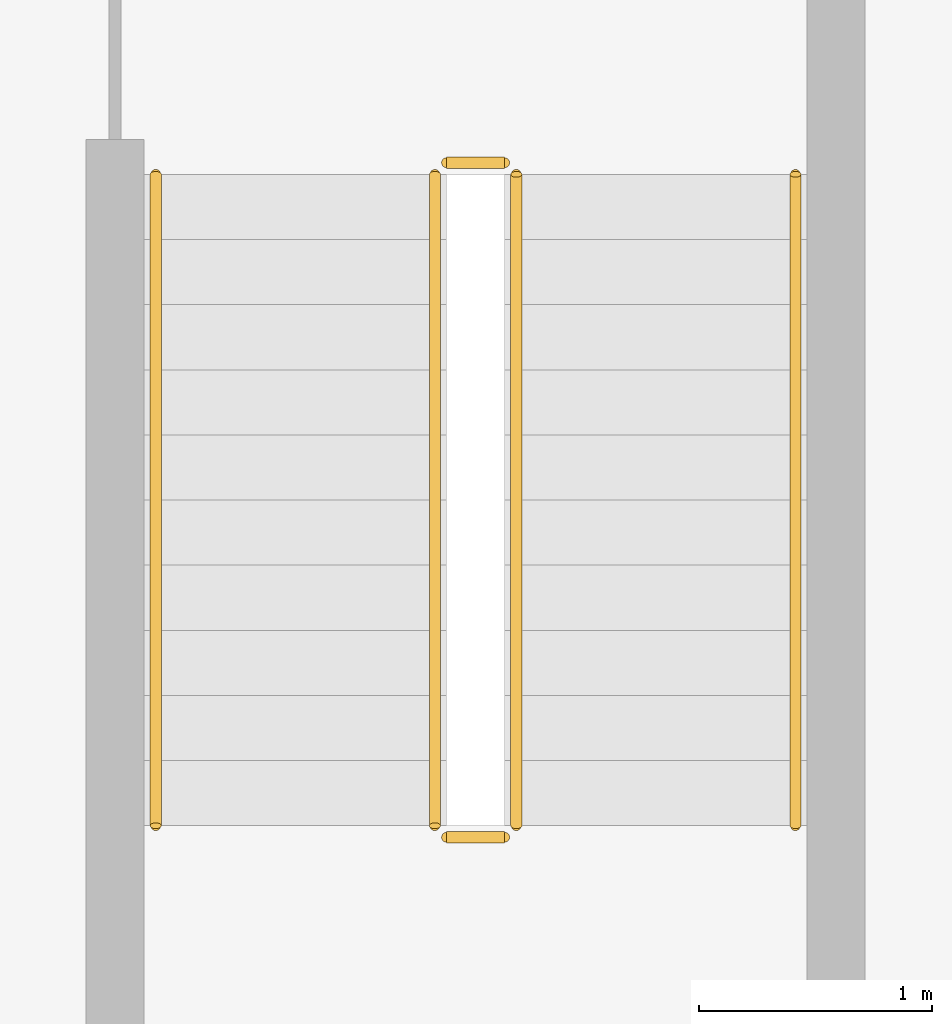
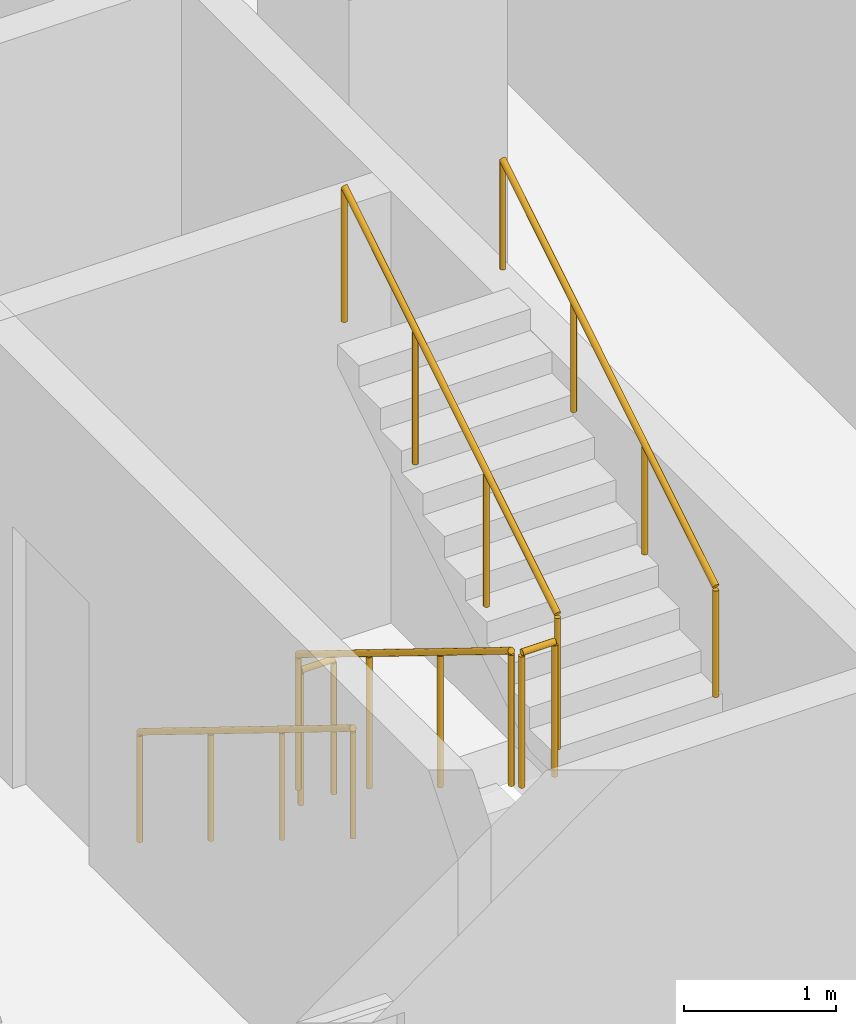
# One storey, part 23 of 27: 6 railings.
"""IFC4 building model written with IfcOpenShell, lengths in metres."""

import ifcopenshell
import ifcopenshell.guid

model = None  # the IFC model being written
_history = None  # IfcOwnerHistory: only IFC2X3 demands one
_inside = {}  # id of a spatial element -> (the spatial element, [elements in it])
_under = {}  # id of a project, library or spatial element -> (it, [spatial elements below it])
_declared = {}  # id of a project -> (the project, [libraries it declares])
_typed = {}  # id of a type object -> (the type object, [elements of that type])
_made_of = {}  # id of a material, layer set ... -> (it, [elements and type objects made of it])


def new_model(schema):
    """Start an empty IFC model of exactly this schema.

    Asked for "IFC4X3", IfcOpenShell would pick the latest addendum, in which some entities
    have other attributes; the version numbers below select the first issue.
    IFC2X3 requires an IfcOwnerHistory on every rooted entity: one is made here for all.
    """
    global model, _history
    if schema == "IFC4X3":
        model = ifcopenshell.file(schema_version=(4, 3, 0, 0))
    else:
        model = ifcopenshell.file(schema=schema)
    _inside.clear()
    _under.clear()
    _declared.clear()
    _typed.clear()
    _made_of.clear()
    _history = None
    if model.schema == "IFC2X3":
        org = make("IfcOrganization", Name="unknown")
        user = make(
            "IfcPersonAndOrganization",
            ThePerson=make("IfcPerson", FamilyName="unknown"),
            TheOrganization=org,
        )
        app = make(
            "IfcApplication",
            ApplicationDeveloper=org,
            Version="unknown",
            ApplicationFullName="unknown",
            ApplicationIdentifier="unknown",
        )
        _history = make(
            "IfcOwnerHistory",
            OwningUser=user,
            OwningApplication=app,
            ChangeAction="ADDED",
            CreationDate=0,
        )
    return model


def make(cls, **values):
    """One entity of the class cls with the attributes given. An attribute that is None is left unset."""
    return model.create_entity(
        cls, **{name: value for name, value in values.items() if value is not None}
    )


def rooted(cls, **values):
    """An entity with a GlobalId (a new one), such as an element, a storey or a relation."""
    return make(cls, GlobalId=ifcopenshell.guid.new(), OwnerHistory=_history, **values)


def si_unit(unit_type, name, prefix=None):
    """IfcSIUnit, for example si_unit("LENGTHUNIT", "METRE", prefix="MILLI")."""
    return make("IfcSIUnit", UnitType=unit_type, Prefix=prefix, Name=name)


def assignment(units):
    """IfcUnitAssignment: the units of a project."""
    return None if units is None else make("IfcUnitAssignment", Units=units)


def point(xyz):
    """IfcCartesianPoint."""
    return None if xyz is None else make("IfcCartesianPoint", Coordinates=xyz)


def direction(xyz):
    """IfcDirection."""
    return None if xyz is None else make("IfcDirection", DirectionRatios=xyz)


def frame(location, z_axis=None, x_axis=None):
    """IfcAxis2Placement3D, a coordinate frame: its origin and axes. An axis left out is left unset."""
    return make(
        "IfcAxis2Placement3D",
        Location=point(location),
        Axis=direction(z_axis),
        RefDirection=direction(x_axis),
    )


def frame_2d(location, x_axis=None):
    """IfcAxis2Placement2D, a coordinate frame in the plane: its origin and x axis."""
    return make(
        "IfcAxis2Placement2D", Location=point(location), RefDirection=direction(x_axis)
    )


def origin():
    """The frame at (0, 0, 0) with its axes left unset."""
    return frame((0.0, 0.0, 0.0))


def origin_2d():
    """The frame at (0, 0) in the plane with its x axis left unset."""
    return frame_2d((0.0, 0.0))


def place(relative_to, where):
    """IfcLocalPlacement: puts the frame where relative to a parent placement (None: the world)."""
    return make(
        "IfcLocalPlacement", PlacementRelTo=relative_to, RelativePlacement=where
    )


def context(
    kind, dimensions, precision=None, world=None, true_north=None, identifier=None
):
    """IfcGeometricRepresentationContext, for example the 3D "Model" context."""
    return make(
        "IfcGeometricRepresentationContext",
        ContextIdentifier=identifier,
        ContextType=kind,
        CoordinateSpaceDimension=dimensions,
        Precision=precision,
        WorldCoordinateSystem=world,
        TrueNorth=true_north,
    )


def subcontext(parent, identifier, kind, view, scale=None):
    """IfcGeometricRepresentationSubContext, for example "Body" below "Model"."""
    return make(
        "IfcGeometricRepresentationSubContext",
        ContextIdentifier=identifier,
        ContextType=kind,
        ParentContext=parent,
        TargetScale=scale,
        TargetView=view,
    )


def project(units=None, contexts=None):
    """IfcProject with its units and contexts."""
    return rooted(
        "IfcProject",
        Name="project",
        RepresentationContexts=contexts,
        UnitsInContext=assignment(units),
    )


def spatial(cls, under=None, at=None, **own):
    """A site, building, storey or space (cls), placed at a placement, below another one or the project."""
    s = rooted(cls, ObjectPlacement=at, **own)
    if under is not None:
        _under.setdefault(under.id(), (under, []))[1].append(s)
    return s


def profile(cls, at=None, kind="AREA", **sizes):
    """A parametric profile (cls). Its sizes go by their IFC names, for example OverallWidth=200.0."""
    return make(cls, ProfileType=kind, Position=at, **sizes)


def circle(**sizes):
    """IfcCircleProfileDef."""
    return profile("IfcCircleProfileDef", **sizes)


def extrude(swept, where, along, depth):
    """IfcExtrudedAreaSolid: the profile swept, set in the frame where, extruded along a direction by depth."""
    return make(
        "IfcExtrudedAreaSolid",
        SweptArea=swept,
        Position=where,
        ExtrudedDirection=direction(along),
        Depth=depth,
    )


def shape(context_of_items, identifier, shape_type, items):
    """IfcShapeRepresentation: the items that make up one representation, for example the "Body"."""
    return make(
        "IfcShapeRepresentation",
        ContextOfItems=context_of_items,
        RepresentationIdentifier=identifier,
        RepresentationType=shape_type,
        Items=items,
    )


def material(Name=None, Category=None):
    """IfcMaterial."""
    return make("IfcMaterial", Name=Name, Category=Category)


def made_of(thing, what):
    """Note that an element or type object is made of a material, layer set ...; save() writes the relation."""
    if what is not None:
        _made_of.setdefault(what.id(), (what, []))[1].append(thing)
    return thing


def type_object(cls, material=None, **own):
    """A type object (cls), such as IfcWallType, which elements share."""
    return made_of(rooted(cls, **own), material)


def element(
    cls,
    number,
    at=None,
    inside=None,
    cuts=None,
    type_object=None,
    material=None,
    context=None,
    identifier="Body",
    shape_type=None,
    held_by="IfcProductDefinitionShape",
    body=None,
    shapes=None,
    **own,
):
    """One element of the class cls, such as IfcWall. Its Tag is "e" and its number.

    at: its placement. inside: the storey or other place that contains it. cuts: it is an
    opening in that element (IfcRelVoidsElement). A single representation is given by context,
    identifier, shape_type and body (its items); several are given by shapes. held_by: the class
    of the entity that holds the representations. save() writes the other relations.
    """
    e = rooted(cls, Tag="e%d" % number, ObjectPlacement=at, **own)
    if body is not None:
        shapes = [shape(context, identifier, shape_type, body)]
    if shapes is not None:
        e.Representation = make(held_by, Representations=shapes)
    if inside is not None:
        _inside.setdefault(inside.id(), (inside, []))[1].append(e)
    if cuts is not None:
        rooted(
            "IfcRelVoidsElement", RelatingBuildingElement=cuts, RelatedOpeningElement=e
        )
    if type_object is not None:
        _typed.setdefault(type_object.id(), (type_object, []))[1].append(e)
    return made_of(e, material)


def aggregate(whole, parts):
    """IfcRelAggregates: a whole, such as a stair, and the parts it consists of."""
    return rooted("IfcRelAggregates", RelatingObject=whole, RelatedObjects=parts)


def save(model, path):
    """Write the relations noted so far, then the file.

    IfcRelAggregates (storeys below a building ...), IfcRelContainedInSpatialStructure (elements
    in a storey), IfcRelDefinesByType, IfcRelAssociatesMaterial and IfcRelDeclares: one each for
    every whole, place, type object, material and project.
    """
    for whole, parts in _under.values():
        aggregate(whole, parts)
    for where, things in _inside.values():
        rooted(
            "IfcRelContainedInSpatialStructure",
            RelatedElements=things,
            RelatingStructure=where,
        )
    for kind, things in _typed.values():
        rooted("IfcRelDefinesByType", RelatedObjects=things, RelatingType=kind)
    for what, things in _made_of.values():
        rooted("IfcRelAssociatesMaterial", RelatedObjects=things, RelatingMaterial=what)
    for by, libraries in _declared.values():
        rooted("IfcRelDeclares", RelatingContext=by, RelatedDefinitions=libraries)
    model.write(path)


model = new_model("IFC4")

# Units and contexts
model_context = context("Model", 3, precision=1e-05, world=origin(), true_north=direction((0.0, 1.0)))
body_context = subcontext(model_context, "Body", "Model", "MODEL_VIEW")
ifc_project = project(units=[si_unit("LENGTHUNIT", "METRE"), si_unit("AREAUNIT", "SQUARE_METRE"), si_unit("VOLUMEUNIT", "CUBIC_METRE"), si_unit("PLANEANGLEUNIT", "RADIAN"), si_unit("MASSUNIT", "GRAM", prefix="KILO")], contexts=[model_context])

# Site, building, storey
site_placement = place(None, origin())
site = spatial("IfcSite", under=ifc_project, at=site_placement, CompositionType="ELEMENT")
building_placement = place(site_placement, origin())
building = spatial("IfcBuilding", under=site, at=building_placement, Name="Mahtab Terrace Research Tower", CompositionType="ELEMENT")
storey_placement = place(building_placement, frame((0.0, 0.0, 182.0)))
storey = spatial("IfcBuildingStorey", under=building, at=storey_placement, Name="L43", CompositionType="ELEMENT", Elevation=182.0)

# Railings
ifc_material = material(Name="Stainless steel AISI 304", Category="steel")
railing_type_1 = type_object("IfcRailingType", Name="Stair guard 1100", PredefinedType="GUARDRAIL", material=ifc_material)
railing_1_placement = place(storey_placement, frame((2.949951171875, -4.175048828125, 0.172607421875)))
element("IfcRailing", 1, at=railing_1_placement, inside=storey, type_object=railing_type_1, Name="L43 ST2 stair guard 1", PredefinedType="GUARDRAIL", context=body_context, shape_type="SweptSolid", body=[
    extrude(circle(Radius=0.02392578125, at=origin_2d()), frame((0.0, 0.0, 1.076171875), z_axis=(0.0, -0.851089632645, 0.525020415988), x_axis=(1.0, 0.0, 0.0)), (0.0, 0.0, 1.0), 3.2900390625),
    extrude(circle(Radius=0.02099609375, at=origin_2d()), origin(), (0.0, 0.0, 1.0), 1.052001953125),
    extrude(circle(Radius=0.02099609375, at=origin_2d()), frame((0.0, -0.933349609375, 0.57568359375)), (0.0, 0.0, 1.0), 1.052001953125),
    extrude(circle(Radius=0.02099609375, at=origin_2d()), frame((0.0, -1.86669921875, 1.151611328125)), (0.0, 0.0, 1.0), 1.052001953125),
    extrude(circle(Radius=0.02099609375, at=origin_2d()), frame((0.0, -2.800048828125, 1.727294921875)), (0.0, 0.0, 1.0), 1.052001953125),
])
railing_2_placement = place(storey_placement, frame((3.0, -7.02490234375, 1.89990234375)))
element("IfcRailing", 2, at=railing_2_placement, inside=storey, type_object=railing_type_1, Name="L43 ST2 stair guard 2", PredefinedType="GUARDRAIL", context=body_context, shape_type="SweptSolid", body=[
    extrude(circle(Radius=0.02392578125, at=origin_2d()), frame((0.0, 0.0, 1.076171875), z_axis=(1.0, 0.0, 0.0), x_axis=(0.0, 1.0, 0.0)), (0.0, 0.0, 1.0), 0.25),
    extrude(circle(Radius=0.02099609375, at=origin_2d()), origin(), (0.0, 0.0, 1.0), 1.052001953125),
    extrude(circle(Radius=0.02099609375, at=origin_2d()), frame((0.25, 0.0, 0.0)), (0.0, 0.0, 1.0), 1.052001953125),
])
railing_3_placement = place(storey_placement, frame((3.300048828125, -6.97509765625, 2.07275390625)))
element("IfcRailing", 3, at=railing_3_placement, inside=storey, type_object=railing_type_1, Name="L43 ST2 stair guard 3", PredefinedType="GUARDRAIL", context=body_context, shape_type="SweptSolid", body=[
    extrude(circle(Radius=0.02392578125, at=origin_2d()), frame((0.0, 0.0, 1.076171875), z_axis=(0.0, 0.851089632645, 0.525020415988), x_axis=(-1.0, 0.0, 0.0)), (0.0, 0.0, 1.0), 3.2900390625),
    extrude(circle(Radius=0.02099609375, at=origin_2d()), origin(), (0.0, 0.0, 1.0), 1.052001953125),
    extrude(circle(Radius=0.02099609375, at=origin_2d()), frame((0.0, 0.933349609375, 0.57568359375)), (0.0, 0.0, 1.0), 1.052001953125),
    extrude(circle(Radius=0.02099609375, at=origin_2d()), frame((0.0, 1.86669921875, 1.151611328125)), (0.0, 0.0, 1.0), 1.052001953125),
    extrude(circle(Radius=0.02099609375, at=origin_2d()), frame((0.0, 2.800048828125, 1.727294921875)), (0.0, 0.0, 1.0), 1.052001953125),
])
railing_4_placement = place(storey_placement, frame((3.0, -4.125, 0.0)))
element("IfcRailing", 4, at=railing_4_placement, inside=storey, type_object=railing_type_1, Name="L43 ST2 stair guard 4", PredefinedType="GUARDRAIL", context=body_context, shape_type="SweptSolid", body=[
    extrude(circle(Radius=0.02392578125, at=origin_2d()), frame((0.0, 0.0, 1.076171875), z_axis=(1.0, 0.0, 0.0), x_axis=(0.0, 1.0, 0.0)), (0.0, 0.0, 1.0), 0.25),
    extrude(circle(Radius=0.02099609375, at=origin_2d()), origin(), (0.0, 0.0, 1.0), 1.052001953125),
    extrude(circle(Radius=0.02099609375, at=origin_2d()), frame((0.25, 0.0, 0.0)), (0.0, 0.0, 1.0), 1.052001953125),
])
railing_type_2 = type_object("IfcRailingType", Name="Stair handrail 900", PredefinedType="HANDRAIL", material=ifc_material)
railing_5_placement = place(storey_placement, frame((1.75, -4.175048828125, 0.172607421875)))
element("IfcRailing", 5, at=railing_5_placement, inside=storey, type_object=railing_type_2, Name="L43 ST2 stair handrail 1", PredefinedType="HANDRAIL", context=body_context, shape_type="SweptSolid", body=[
    extrude(circle(Radius=0.02392578125, at=origin_2d()), frame((0.0, 0.0, 0.8759765625), z_axis=(0.0, -0.851089632645, 0.525020415988), x_axis=(1.0, 0.0, 0.0)), (0.0, 0.0, 1.0), 3.2900390625),
    extrude(circle(Radius=0.02099609375, at=origin_2d()), origin(), (0.0, 0.0, 1.0), 0.851806640625),
    extrude(circle(Radius=0.02099609375, at=origin_2d()), frame((0.0, -0.933349609375, 0.57568359375)), (0.0, 0.0, 1.0), 0.851806640625),
    extrude(circle(Radius=0.02099609375, at=origin_2d()), frame((0.0, -1.86669921875, 1.151611328125)), (0.0, 0.0, 1.0), 0.851806640625),
    extrude(circle(Radius=0.02099609375, at=origin_2d()), frame((0.0, -2.800048828125, 1.727294921875)), (0.0, 0.0, 1.0), 0.851806640625),
])
railing_6_placement = place(storey_placement, frame((4.5, -6.97509765625, 2.07275390625)))
element("IfcRailing", 6, at=railing_6_placement, inside=storey, type_object=railing_type_2, Name="L43 ST2 stair handrail 2", PredefinedType="HANDRAIL", context=body_context, shape_type="SweptSolid", body=[
    extrude(circle(Radius=0.02392578125, at=origin_2d()), frame((0.0, 0.0, 0.8759765625), z_axis=(0.0, 0.851089632645, 0.525020415988), x_axis=(-1.0, 0.0, 0.0)), (0.0, 0.0, 1.0), 3.2900390625),
    extrude(circle(Radius=0.02099609375, at=origin_2d()), origin(), (0.0, 0.0, 1.0), 0.851806640625),
    extrude(circle(Radius=0.02099609375, at=origin_2d()), frame((0.0, 0.933349609375, 0.57568359375)), (0.0, 0.0, 1.0), 0.851806640625),
    extrude(circle(Radius=0.02099609375, at=origin_2d()), frame((0.0, 1.86669921875, 1.151611328125)), (0.0, 0.0, 1.0), 0.851806640625),
    extrude(circle(Radius=0.02099609375, at=origin_2d()), frame((0.0, 2.800048828125, 1.727294921875)), (0.0, 0.0, 1.0), 0.851806640625),
])

save(model, "model.ifc")
